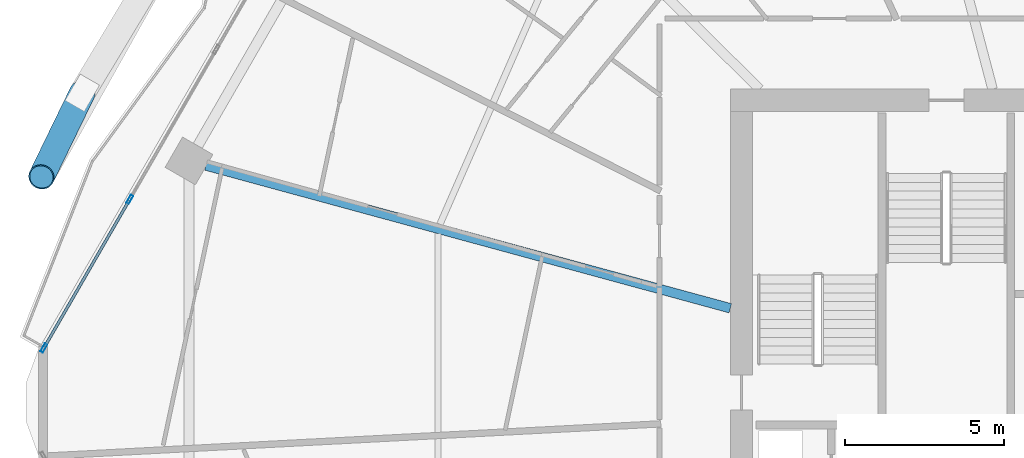
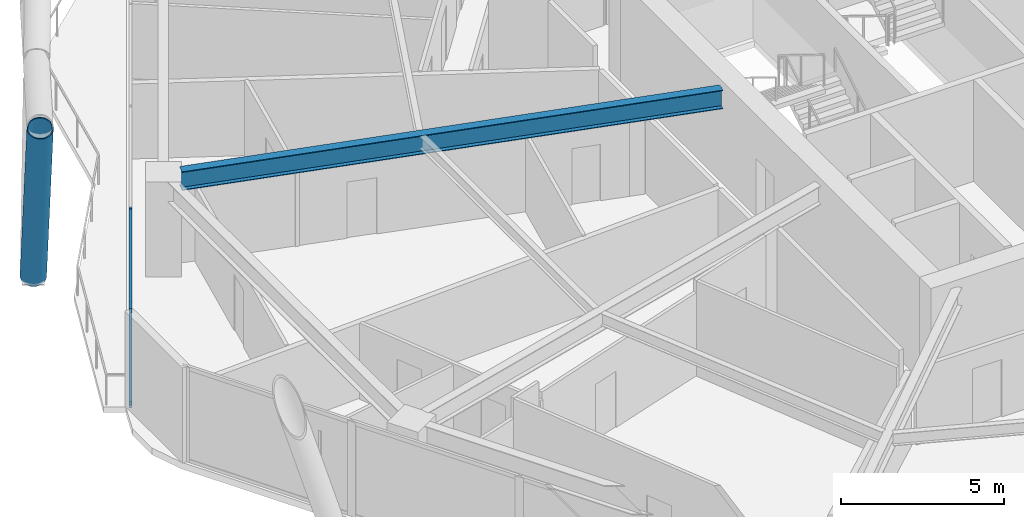
# One storey, part 14 of 34: 5 members, 1 beam, 1 element without a shape of its own.
"""IFC4 building model written with IfcOpenShell, lengths in metres."""

from ifc_helpers import new_model, si_unit, direction, frame, origin, origin_2d, place, context, subcontext, project, spatial, hollow_rectangle, hollow_circle, i_section, extrude, material, material_profile, profile_set, type_object, element, aggregate, save


model = new_model("IFC4")

# Units and contexts
model_context = context("Model", 3, precision=1e-05, world=origin(), true_north=direction((0.0, 1.0)))
body_context = subcontext(model_context, "Body", "Model", "MODEL_VIEW")
ifc_project = project(units=[si_unit("LENGTHUNIT", "METRE"), si_unit("AREAUNIT", "SQUARE_METRE"), si_unit("VOLUMEUNIT", "CUBIC_METRE"), si_unit("PLANEANGLEUNIT", "RADIAN"), si_unit("MASSUNIT", "GRAM", prefix="KILO")], contexts=[model_context])

# Site, building, storey
site_placement = place(None, origin())
site = spatial("IfcSite", under=ifc_project, at=site_placement, CompositionType="ELEMENT")
building_placement = place(site_placement, origin())
building = spatial("IfcBuilding", under=site, at=building_placement, Name="Zuhravey Tower", CompositionType="ELEMENT")
storey_placement = place(building_placement, frame((0.0, 0.0, 130.39990234375)))
storey = spatial("IfcBuildingStorey", under=building, at=storey_placement, Name="L32", CompositionType="ELEMENT", Elevation=130.39990234375)

# Curtain wall, members
ifc_material_1 = material(Name="Thermally broken anodised aluminium", Category="aluminium")
curtain_wall_type = type_object("IfcCurtainWallType", Name="Zone 1-2 Residential Curtain Wall CW3", PredefinedType="NOTDEFINED", material=ifc_material_1)
curtain_wall_placement = place(storey_placement, origin())
curtain_wall = element("IfcCurtainWall", 1, at=curtain_wall_placement, inside=storey, type_object=curtain_wall_type, Name="L32 CW3 CW-L32-F3-1", PredefinedType="NOTDEFINED")
ifc_material_2 = material(Name="Anodised aluminium", Category="aluminium")
ifc_material_profile_1 = material_profile(ifc_material_2, hollow_rectangle(XDim=0.090087890625, YDim=0.284912109375, WallThickness=0.0048828125, at=origin_2d()), Name="ALU-RHS-90x285x5")
ifc_profile_set_1 = profile_set([ifc_material_profile_1], Name="Anodised aluminium")
member_type_1 = type_object("IfcMemberType", Name="Curtain-Wall Mullion 90x180", PredefinedType="MULLION", material=ifc_profile_set_1)
member_1_placement = place(storey_placement, frame((3.5439453125, 33.701416015625, 0.0), z_axis=(0.0, 0.0, 1.0), x_axis=(-0.866025163156, 0.500000416781, 0.0)))
member_1 = element("IfcMember", 2, at=member_1_placement, type_object=member_type_1, Name="CW3 mullion 1", PredefinedType="MULLION", context=body_context, shape_type="SweptSolid", body=[
    extrude(hollow_rectangle(XDim=0.090087890625, YDim=0.284912109375, WallThickness=0.0048828125, at=origin_2d()), origin(), (0.0, 0.0, 1.0), 3.550048828125),
])
member_2_placement = place(storey_placement, frame((6.246337890625, 38.382080078125, 0.0), z_axis=(0.0, 0.0, 1.0), x_axis=(-0.866025163156, 0.500000416781, 0.0)))
member_2 = element("IfcMember", 3, at=member_2_placement, type_object=member_type_1, Name="CW3 mullion 2", PredefinedType="MULLION", context=body_context, shape_type="SweptSolid", body=[
    extrude(hollow_rectangle(XDim=0.090087890625, YDim=0.284912109375, WallThickness=0.0048828125, at=origin_2d()), origin(), (0.0, 0.0, 1.0), 3.550048828125),
])
ifc_material_profile_2 = material_profile(ifc_material_2, hollow_rectangle(XDim=0.090087890625, YDim=0.14990234375, WallThickness=0.0048828125, at=origin_2d()), Name="ALU-RHS-90x150x5")
ifc_profile_set_2 = profile_set([ifc_material_profile_2], Name="Anodised aluminium")
member_type_2 = type_object("IfcMemberType", Name="Curtain-Wall Transom 90x150", PredefinedType="USERDEFINED", material=ifc_profile_set_2)
member_3_placement = place(storey_placement, frame((3.56640625, 33.740478515625, 0.045166015625), z_axis=(0.500007419992, 0.866021119808, 0.0), x_axis=(-0.866021119808, 0.500007419992, 0.0)))
member_3 = element("IfcMember", 4, at=member_3_placement, type_object=member_type_2, Name="CW3 transom 1.1", ObjectType="TRANSOM", PredefinedType="USERDEFINED", context=body_context, shape_type="SweptSolid", body=[
    extrude(hollow_rectangle(XDim=0.090087890625, YDim=0.14990234375, WallThickness=0.0048828125, at=origin_2d()), origin(), (0.0, 0.0, 1.0), 5.31494140625),
])
member_4_placement = place(storey_placement, frame((3.56640625, 33.740478515625, 3.505126953125), z_axis=(0.500007419992, 0.866021119808, 0.0), x_axis=(-0.866021119808, 0.500007419992, 0.0)))
member_4 = element("IfcMember", 5, at=member_4_placement, type_object=member_type_2, Name="CW3 transom 1.2", ObjectType="TRANSOM", PredefinedType="USERDEFINED", context=body_context, shape_type="SweptSolid", body=[
    extrude(hollow_rectangle(XDim=0.090087890625, YDim=0.14990234375, WallThickness=0.0048828125, at=origin_2d()), origin(), (0.0, 0.0, 1.0), 5.31494140625),
])
aggregate(curtain_wall, [member_1, member_2, member_3, member_4])

# Member
ifc_material_3 = material(Name="Steel SM460", Category="steel")
ifc_material_profile_3 = material_profile(ifc_material_3, hollow_circle(Radius=0.406494140625, WallThickness=0.035888671875, at=origin_2d()), Name="CHS-812.8x36")
ifc_profile_set_3 = profile_set([ifc_material_profile_3], Name="Steel SM460")
member_type_3 = type_object("IfcMemberType", Name="Exoskeleton Zone 1 Diagrid CHS813x36", PredefinedType="BRACE", material=ifc_profile_set_3)
member_5_placement = place(storey_placement, frame((4.74853515625, 41.7265625, -0.44189453125), z_axis=(-0.158194539703, -0.325515687466, 0.932209217301), x_axis=(0.899413753497, -0.437098272727, 0.0)))
element("IfcMember", 6, at=member_5_placement, inside=storey, type_object=member_type_3, Name="L32 Face 3 Diagrid Brace 4", PredefinedType="BRACE", context=body_context, shape_type="SweptSolid", body=[
    extrude(hollow_circle(Radius=0.406494140625, WallThickness=0.035888671875, at=origin_2d()), origin(), (0.0, 0.0, 1.0), 8.10546875),
])

# Beam
ifc_material_4 = material(Name="Steel SM355", Category="steel")
ifc_material_profile_4 = material_profile(ifc_material_4, i_section(OverallWidth=0.300048828125, OverallDepth=0.699951171875, WebThickness=0.012939453125, FlangeThickness=0.02392578125, at=origin_2d()), Name="H-700x300x13x24")
ifc_profile_set_4 = profile_set([ifc_material_profile_4], Name="Steel SM355")
beam_type = type_object("IfcBeamType", Name="Radial Primary Girder H700x300", PredefinedType="BEAM", material=ifc_profile_set_4)
beam_placement = place(storey_placement, frame((25.14697265625, 34.954345703125, 3.2001953125), z_axis=(-0.964893166225, 0.262642680791, 0.0), x_axis=(-0.262642680791, -0.964893166225, 0.0)))
element("IfcBeam", 7, at=beam_placement, inside=storey, type_object=beam_type, Name="L32 RG1 BM-L32-RAD-06", PredefinedType="BEAM", context=body_context, shape_type="SweptSolid", body=[
    extrude(i_section(OverallWidth=0.300048828125, OverallDepth=0.699951171875, WebThickness=0.012939453125, FlangeThickness=0.02392578125, at=origin_2d()), origin(), (0.0, 0.0, 1.0), 17.102783203125),
])

save(model, "model.ifc")
